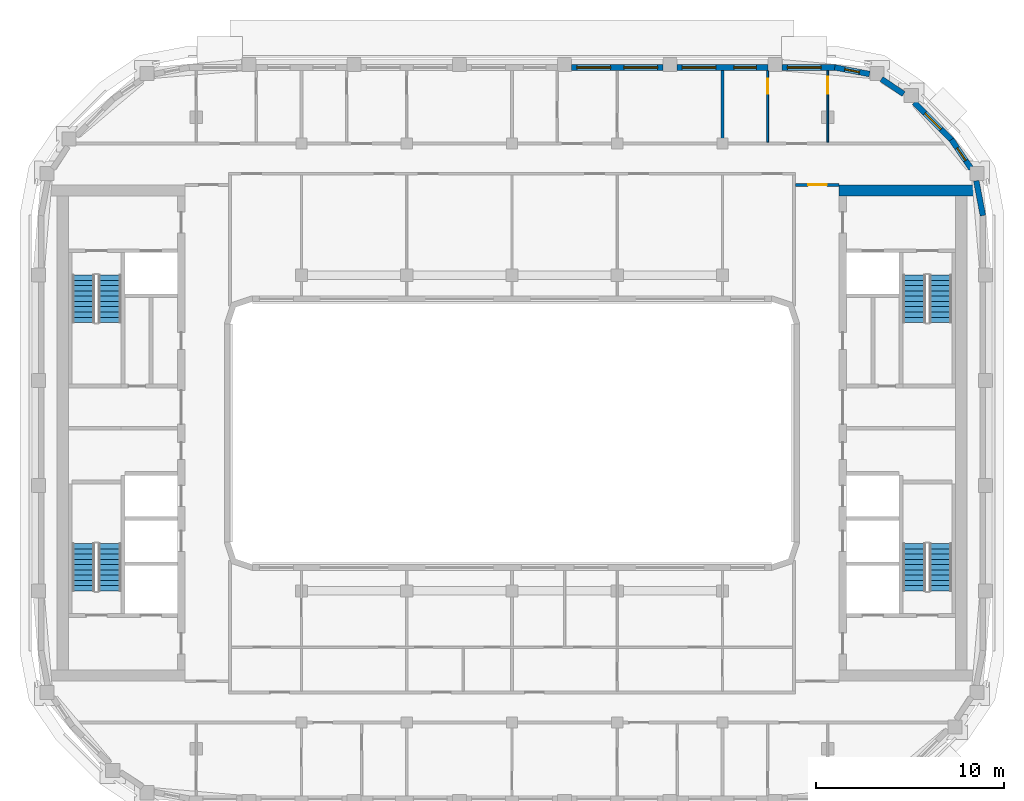
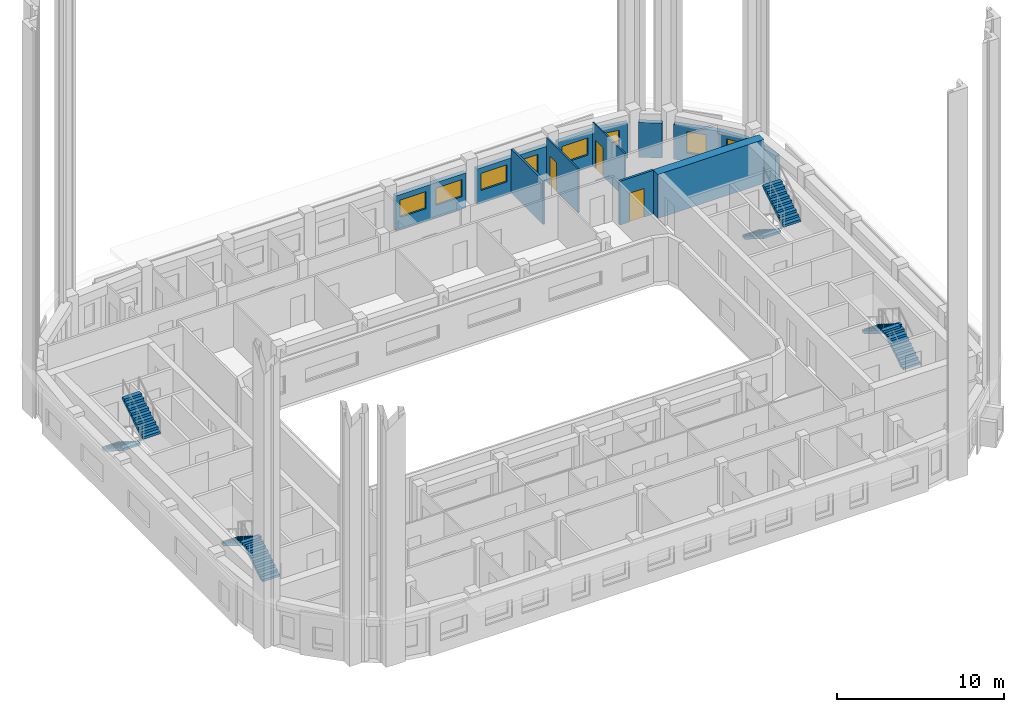
# One storey, part 8 of 15: 13 walls, 8 stair flights, 8 windows, 3 doors, 11 openings, 4 elements without a shape of their own.
"""IFC4 building model written with IfcOpenShell, lengths in metres."""

from ifc_helpers import new_model, si_unit, direction, frame, frame_2d, origin, place, context, subcontext, project, spatial, polyline, rectangle, outline, extrude, material, layer, layer_set, type_object, element, fill, aggregate, save


model = new_model("IFC4")

# Units and contexts
model_context = context("Model", 3, precision=1e-05, world=origin(), true_north=direction((0.0, 1.0)))
body_context = subcontext(model_context, "Body", "Model", "MODEL_VIEW")
ifc_project = project(units=[si_unit("LENGTHUNIT", "METRE"), si_unit("AREAUNIT", "SQUARE_METRE"), si_unit("VOLUMEUNIT", "CUBIC_METRE"), si_unit("PLANEANGLEUNIT", "RADIAN"), si_unit("MASSUNIT", "GRAM", prefix="KILO")], contexts=[model_context])

# Site, building, storey
site_placement = place(None, origin())
site = spatial("IfcSite", under=ifc_project, at=site_placement, CompositionType="ELEMENT")
building_placement = place(site_placement, origin())
building = spatial("IfcBuilding", under=site, at=building_placement, Name="Kiln Ring Residences", CompositionType="ELEMENT")
storey_placement = place(building_placement, frame((0.0, 0.0, 266.199951171875)))
storey = spatial("IfcBuildingStorey", under=building, at=storey_placement, Name="L69", CompositionType="ELEMENT", Elevation=266.199951171875)

# Walls
ifc_material_1 = material(Name="Concrete C60/75", Category="concrete")
ifc_layer_1 = layer(ifc_material_1, 0.60009765625)
ifc_layer_set_1 = layer_set([ifc_layer_1], Name="CORE-WALL-RC600")
wall_type_1 = type_object("IfcWallType", Name="CORE-WALL-RC600", PredefinedType="SHEAR", material=ifc_layer_set_1)
wall_1_placement = place(storey_placement, frame((17.39990234375, 12.89990234375, 0.0), z_axis=(0.0, 0.0, 1.0), x_axis=(1.0, 0.0, 0.0)))
element("IfcWall", 1, at=wall_1_placement, inside=storey, type_object=wall_type_1, Name="Core wall east L69 4", PredefinedType="SHEAR", context=body_context, shape_type="SweptSolid", body=[
    extrude(rectangle(XDim=7.320068359375, YDim=0.60009765625, at=frame_2d((3.66015625, 0.0))), origin(), (0.0, 0.0, 1.0), 3.199951171875),
])
ifc_material_2 = material(Name="Brick masonry, dark clay brick", Category="masonry")
ifc_layer_2 = layer(ifc_material_2, 0.300048828125)
ifc_layer_set_2 = layer_set([ifc_layer_2], Name="EW-300 BRICK WALL")
wall_type_2 = type_object("IfcWallType", Name="EW-300 BRICK WALL", PredefinedType="SOLIDWALL", material=ifc_layer_set_2)
wall_2_placement = place(storey_placement, frame((25.052734375, 11.57177734375, 0.0), z_axis=(0.0, 0.0, 1.0), x_axis=(-0.187398348234, 0.982284001233, 0.0)))
element("IfcWall", 2, at=wall_2_placement, inside=storey, type_object=wall_type_2, Name="Facade wall L69 21", PredefinedType="SOLIDWALL", context=body_context, shape_type="SweptSolid", body=[
    extrude(rectangle(XDim=1.88134765625, YDim=0.300048828125, at=frame_2d((0.940673828125, 0.0))), origin(), (0.0, 0.0, 1.0), 2.550048828125),
])

# Wall, opening, window
wall_3_placement = place(storey_placement, frame((24.436279296875, 14.056884765625, 0.0), z_axis=(0.0, 0.0, 1.0), x_axis=(-0.562075713892, 0.827085782645, 0.0)))
wall_3 = element("IfcWall", 3, at=wall_3_placement, inside=storey, type_object=wall_type_2, Name="Facade wall L69 22", PredefinedType="SOLIDWALL", context=body_context, shape_type="SweptSolid", body=[
    extrude(rectangle(XDim=1.881103515625, YDim=0.300048828125, at=frame_2d((0.9404296875, 0.0))), origin(), (0.0, 0.0, 1.0), 2.550048828125),
])
opening_1_placement = place(wall_3_placement, frame((0.54052734375, 0.0, 0.60009765625)))
opening_1 = element("IfcOpeningElement", 4, at=opening_1_placement, cuts=wall_3, Name="Opening W5", PredefinedType="OPENING", context=body_context, shape_type="SweptSolid", body=[
    extrude(rectangle(XDim=0.800048828125, YDim=1.550048828125, at=frame_2d((0.39990234375, 0.77490234375))), frame((0.0, 0.159912109375, 0.0), z_axis=(0.0, -1.0, 0.0), x_axis=(1.0, 0.0, 0.0)), (0.0, 0.0, 1.0), 0.320068359375),
])
ifc_material_3 = material(Name="Aluminium frame with double glazing", Category="aluminium")
window_type_1 = type_object("IfcWindowType", Name="WINDOW 800 x 1550", PartitioningType="SINGLE_PANEL", PredefinedType="WINDOW", material=ifc_material_3)
window_1_placement = place(opening_1_placement, origin())
window_1 = element("IfcWindow", 5, at=window_1_placement, inside=storey, type_object=window_type_1, Name="Window L69 18", OverallHeight=1.550048828125, OverallWidth=0.800048828125, PartitioningType="SINGLE_PANEL", PredefinedType="WINDOW", context=body_context, shape_type="SweptSolid", body=[
    extrude(rectangle(XDim=0.800048828125, YDim=1.550048828125, at=frame_2d((0.39990234375, 0.77490234375))), frame((0.0, 0.030029296875, 0.0), z_axis=(0.0, -1.0, 0.0), x_axis=(1.0, 0.0, 0.0)), (0.0, 0.0, 1.0), 0.06005859375),
])
fill(opening_1, window_1)

wall_4_placement = place(storey_placement, frame((23.39697265625, 15.591064453125, 0.0), z_axis=(0.0, 0.0, 1.0), x_axis=(-0.707106781187, 0.707106781187, 0.0)))
wall_4 = element("IfcWall", 6, at=wall_4_placement, inside=storey, type_object=wall_type_2, Name="Facade wall L69 23", PredefinedType="SOLIDWALL", context=body_context, shape_type="SweptSolid", body=[
    extrude(rectangle(XDim=2.824951171875, YDim=0.300048828125, at=frame_2d((1.41259765625, 0.0))), origin(), (0.0, 0.0, 1.0), 2.550048828125),
])
opening_2_placement = place(wall_4_placement, frame((0.8125, 0.0, 0.60009765625)))
opening_2 = element("IfcOpeningElement", 7, at=opening_2_placement, cuts=wall_4, Name="Opening W1", PredefinedType="OPENING", context=body_context, shape_type="SweptSolid", body=[
    extrude(rectangle(XDim=1.199951171875, YDim=1.550048828125, at=frame_2d((0.60009765625, 0.77490234375))), frame((0.0, 0.159912109375, 0.0), z_axis=(0.0, -1.0, 0.0), x_axis=(1.0, 0.0, 0.0)), (0.0, 0.0, 1.0), 0.320068359375),
])
ifc_material_4 = material(Name="Aluminium frame with double glazing", Category="aluminium")
window_type_2 = type_object("IfcWindowType", Name="WINDOW 1200 x 1550", PartitioningType="SINGLE_PANEL", PredefinedType="WINDOW", material=ifc_material_4)
window_2_placement = place(opening_2_placement, origin())
window_2 = element("IfcWindow", 8, at=window_2_placement, inside=storey, type_object=window_type_2, Name="Window L69 19", OverallHeight=1.550048828125, OverallWidth=1.199951171875, PartitioningType="SINGLE_PANEL", PredefinedType="WINDOW", context=body_context, shape_type="SweptSolid", body=[
    extrude(rectangle(XDim=1.199951171875, YDim=1.550048828125, at=frame_2d((0.60009765625, 0.77490234375))), frame((0.0, 0.030029296875, 0.0), z_axis=(0.0, -1.0, 0.0), x_axis=(1.0, 0.0, 0.0)), (0.0, 0.0, 1.0), 0.06005859375),
])
fill(opening_2, window_2)

# Wall
wall_5_placement = place(storey_placement, frame((20.837158203125, 18.0341796875, 0.0), z_axis=(0.0, 0.0, 1.0), x_axis=(-0.827095130818, 0.562061957952, 0.0)))
element("IfcWall", 9, at=wall_5_placement, inside=storey, type_object=wall_type_2, Name="Facade wall L69 24", PredefinedType="SOLIDWALL", context=body_context, shape_type="SweptSolid", body=[
    extrude(rectangle(XDim=1.427001953125, YDim=0.300048828125, at=frame_2d((0.71337890625, 0.0))), origin(), (0.0, 0.0, 1.0), 2.550048828125),
])

# Wall, opening, window
wall_6_placement = place(storey_placement, frame((19.019775390625, 19.10009765625, 0.0), z_axis=(0.0, 0.0, 1.0), x_axis=(-0.982284001233, 0.187398348234, 0.0)))
wall_6 = element("IfcWall", 10, at=wall_6_placement, inside=storey, type_object=wall_type_2, Name="Facade wall L69 25", PredefinedType="SOLIDWALL", context=body_context, shape_type="SweptSolid", body=[
    extrude(rectangle(XDim=1.88134765625, YDim=0.300048828125, at=frame_2d((0.940673828125, 0.0))), origin(), (0.0, 0.0, 1.0), 2.550048828125),
])
opening_3_placement = place(wall_6_placement, frame((0.54052734375, 0.0, 0.60009765625)))
opening_3 = element("IfcOpeningElement", 11, at=opening_3_placement, cuts=wall_6, Name="Opening W5", PredefinedType="OPENING", context=body_context, shape_type="SweptSolid", body=[
    extrude(rectangle(XDim=0.800048828125, YDim=1.550048828125, at=frame_2d((0.39990234375, 0.77490234375))), frame((0.0, 0.159912109375, 0.0), z_axis=(0.0, -1.0, 0.0), x_axis=(1.0, 0.0, 0.0)), (0.0, 0.0, 1.0), 0.320068359375),
])
window_3_placement = place(opening_3_placement, origin())
window_3 = element("IfcWindow", 12, at=window_3_placement, inside=storey, type_object=window_type_1, Name="Window L69 20", OverallHeight=1.550048828125, OverallWidth=0.800048828125, PartitioningType="SINGLE_PANEL", PredefinedType="WINDOW", context=body_context, shape_type="SweptSolid", body=[
    extrude(rectangle(XDim=0.800048828125, YDim=1.550048828125, at=frame_2d((0.39990234375, 0.77490234375))), frame((0.0, 0.030029296875, 0.0), z_axis=(0.0, -1.0, 0.0), x_axis=(1.0, 0.0, 0.0)), (0.0, 0.0, 1.0), 0.06005859375),
])
fill(opening_3, window_3)

wall_7_placement = place(storey_placement, frame((17.199951171875, 19.449951171875, 0.0), z_axis=(0.0, 0.0, 1.0), x_axis=(-1.0, 0.0, 0.0)))
wall_7 = element("IfcWall", 13, at=wall_7_placement, inside=storey, type_object=wall_type_2, Name="Facade wall L69 26", PredefinedType="SOLIDWALL", context=body_context, shape_type="SweptSolid", body=[
    extrude(rectangle(XDim=2.824951171875, YDim=0.300048828125, at=frame_2d((1.41259765625, 0.0))), origin(), (0.0, 0.0, 1.0), 2.550048828125),
])
opening_4_placement = place(wall_7_placement, frame((0.75, 0.0, 0.89990234375)))
opening_4 = element("IfcOpeningElement", 14, at=opening_4_placement, cuts=wall_7, Name="Opening W2", PredefinedType="OPENING", context=body_context, shape_type="SweptSolid", body=[
    extrude(rectangle(XDim=1.800048828125, YDim=1.25, at=frame_2d((0.89990234375, 0.625))), frame((0.0, 0.159912109375, 0.0), z_axis=(0.0, -1.0, 0.0), x_axis=(1.0, 0.0, 0.0)), (0.0, 0.0, 1.0), 0.320068359375),
])
ifc_material_5 = material(Name="Aluminium frame with double glazing", Category="aluminium")
window_type_3 = type_object("IfcWindowType", Name="WINDOW 1800 x 1250", PartitioningType="SINGLE_PANEL", PredefinedType="WINDOW", material=ifc_material_5)
window_4_placement = place(opening_4_placement, origin())
window_4 = element("IfcWindow", 15, at=window_4_placement, inside=storey, type_object=window_type_3, Name="Window L69 21", OverallHeight=1.25, OverallWidth=1.800048828125, PartitioningType="SINGLE_PANEL", PredefinedType="WINDOW", context=body_context, shape_type="SweptSolid", body=[
    extrude(rectangle(XDim=1.800048828125, YDim=1.25, at=frame_2d((0.89990234375, 0.625))), frame((0.0, 0.030029296875, 0.0), z_axis=(0.0, -1.0, 0.0), x_axis=(1.0, 0.0, 0.0)), (0.0, 0.0, 1.0), 0.06005859375),
])
fill(opening_4, window_4)

# Wall, openings, windows
wall_8_placement = place(storey_placement, frame((13.625, 19.449951171875, 0.0), z_axis=(0.0, 0.0, 1.0), x_axis=(-1.0, 0.0, 0.0)))
wall_8 = element("IfcWall", 16, at=wall_8_placement, inside=storey, type_object=wall_type_2, Name="Facade wall L69 27", PredefinedType="SOLIDWALL", context=body_context, shape_type="SweptSolid", body=[
    extrude(rectangle(XDim=4.85009765625, YDim=0.300048828125, at=frame_2d((2.425048828125, 0.0))), origin(), (0.0, 0.0, 1.0), 2.550048828125),
])
opening_5_placement = place(wall_8_placement, frame((0.625, 0.0, 0.60009765625)))
opening_5 = element("IfcOpeningElement", 17, at=opening_5_placement, cuts=wall_8, Name="Opening W1", PredefinedType="OPENING", context=body_context, shape_type="SweptSolid", body=[
    extrude(rectangle(XDim=1.199951171875, YDim=1.550048828125, at=frame_2d((0.60009765625, 0.77490234375))), frame((0.0, 0.159912109375, 0.0), z_axis=(0.0, -1.0, 0.0), x_axis=(1.0, 0.0, 0.0)), (0.0, 0.0, 1.0), 0.320068359375),
])
opening_6_placement = place(wall_8_placement, frame((2.77490234375, 0.0, 0.89990234375)))
opening_6 = element("IfcOpeningElement", 18, at=opening_6_placement, cuts=wall_8, Name="Opening W2", PredefinedType="OPENING", context=body_context, shape_type="SweptSolid", body=[
    extrude(rectangle(XDim=1.800048828125, YDim=1.25, at=frame_2d((0.89990234375, 0.625))), frame((0.0, 0.159912109375, 0.0), z_axis=(0.0, -1.0, 0.0), x_axis=(1.0, 0.0, 0.0)), (0.0, 0.0, 1.0), 0.320068359375),
])
window_5_placement = place(opening_5_placement, origin())
window_5 = element("IfcWindow", 19, at=window_5_placement, inside=storey, type_object=window_type_2, Name="Window L69 22", OverallHeight=1.550048828125, OverallWidth=1.199951171875, PartitioningType="SINGLE_PANEL", PredefinedType="WINDOW", context=body_context, shape_type="SweptSolid", body=[
    extrude(rectangle(XDim=1.199951171875, YDim=1.550048828125, at=frame_2d((0.60009765625, 0.77490234375))), frame((0.0, 0.030029296875, 0.0), z_axis=(0.0, -1.0, 0.0), x_axis=(1.0, 0.0, 0.0)), (0.0, 0.0, 1.0), 0.06005859375),
])
fill(opening_5, window_5)
window_6_placement = place(opening_6_placement, origin())
window_6 = element("IfcWindow", 20, at=window_6_placement, inside=storey, type_object=window_type_3, Name="Window L69 23", OverallHeight=1.25, OverallWidth=1.800048828125, PartitioningType="SINGLE_PANEL", PredefinedType="WINDOW", context=body_context, shape_type="SweptSolid", body=[
    extrude(rectangle(XDim=1.800048828125, YDim=1.25, at=frame_2d((0.89990234375, 0.625))), frame((0.0, 0.030029296875, 0.0), z_axis=(0.0, -1.0, 0.0), x_axis=(1.0, 0.0, 0.0)), (0.0, 0.0, 1.0), 0.06005859375),
])
fill(opening_6, window_6)

wall_9_placement = place(storey_placement, frame((8.02490234375, 19.449951171875, 0.0), z_axis=(0.0, 0.0, 1.0), x_axis=(-1.0, 0.0, 0.0)))
wall_9 = element("IfcWall", 21, at=wall_9_placement, inside=storey, type_object=wall_type_2, Name="Facade wall L69 28", PredefinedType="SOLIDWALL", context=body_context, shape_type="SweptSolid", body=[
    extrude(rectangle(XDim=4.849853515625, YDim=0.300048828125, at=frame_2d((2.4248046875, 0.0))), origin(), (0.0, 0.0, 1.0), 2.550048828125),
])
opening_7_placement = place(wall_9_placement, frame((0.27490234375, 0.0, 0.89990234375)))
opening_7 = element("IfcOpeningElement", 22, at=opening_7_placement, cuts=wall_9, Name="Opening W2", PredefinedType="OPENING", context=body_context, shape_type="SweptSolid", body=[
    extrude(rectangle(XDim=1.800048828125, YDim=1.25, at=frame_2d((0.89990234375, 0.625))), frame((0.0, 0.159912109375, 0.0), z_axis=(0.0, -1.0, 0.0), x_axis=(1.0, 0.0, 0.0)), (0.0, 0.0, 1.0), 0.320068359375),
])
opening_8_placement = place(wall_9_placement, frame((2.77490234375, 0.0, 0.89990234375)))
opening_8 = element("IfcOpeningElement", 23, at=opening_8_placement, cuts=wall_9, Name="Opening W2", PredefinedType="OPENING", context=body_context, shape_type="SweptSolid", body=[
    extrude(rectangle(XDim=1.800048828125, YDim=1.25, at=frame_2d((0.89990234375, 0.625))), frame((0.0, 0.159912109375, 0.0), z_axis=(0.0, -1.0, 0.0), x_axis=(1.0, 0.0, 0.0)), (0.0, 0.0, 1.0), 0.320068359375),
])
window_7_placement = place(opening_7_placement, origin())
window_7 = element("IfcWindow", 24, at=window_7_placement, inside=storey, type_object=window_type_3, Name="Window L69 24", OverallHeight=1.25, OverallWidth=1.800048828125, PartitioningType="SINGLE_PANEL", PredefinedType="WINDOW", context=body_context, shape_type="SweptSolid", body=[
    extrude(rectangle(XDim=1.800048828125, YDim=1.25, at=frame_2d((0.89990234375, 0.625))), frame((0.0, 0.030029296875, 0.0), z_axis=(0.0, -1.0, 0.0), x_axis=(1.0, 0.0, 0.0)), (0.0, 0.0, 1.0), 0.06005859375),
])
fill(opening_7, window_7)
window_8_placement = place(opening_8_placement, origin())
window_8 = element("IfcWindow", 25, at=window_8_placement, inside=storey, type_object=window_type_3, Name="Window L69 25", OverallHeight=1.25, OverallWidth=1.800048828125, PartitioningType="SINGLE_PANEL", PredefinedType="WINDOW", context=body_context, shape_type="SweptSolid", body=[
    extrude(rectangle(XDim=1.800048828125, YDim=1.25, at=frame_2d((0.89990234375, 0.625))), frame((0.0, 0.030029296875, 0.0), z_axis=(0.0, -1.0, 0.0), x_axis=(1.0, 0.0, 0.0)), (0.0, 0.0, 1.0), 0.06005859375),
])
fill(opening_8, window_8)

# Wall, opening, door
ifc_material_6 = material(Name="Gypsum board on steel studs", Category="steel")
ifc_layer_3 = layer(ifc_material_6, 0.10009765625)
ifc_layer_set_3 = layer_set([ifc_layer_3], Name="PARTITION-100")
wall_type_3 = type_object("IfcWallType", Name="PARTITION-100", PredefinedType="PARTITIONING", material=ifc_layer_set_3)
wall_10_placement = place(storey_placement, frame((13.60009765625, 15.47509765625, 0.0), z_axis=(0.0, 0.0, 1.0), x_axis=(0.0, 1.0, 0.0)))
wall_10 = element("IfcWall", 26, at=wall_10_placement, inside=storey, type_object=wall_type_3, Name="Partition 046", PredefinedType="PARTITIONING", context=body_context, shape_type="SweptSolid", body=[
    extrude(rectangle(XDim=3.804931640625, YDim=0.10009765625, at=frame_2d((1.90234375, 0.0))), origin(), (0.0, 0.0, 1.0), 3.199951171875),
])
opening_9_placement = place(wall_10_placement, frame((2.5849609375, 0.0, 0.0)))
opening_9 = element("IfcOpeningElement", 27, at=opening_9_placement, cuts=wall_10, Name="Opening L69-D021", PredefinedType="OPENING", context=body_context, shape_type="SweptSolid", body=[
    extrude(rectangle(XDim=0.800048828125, YDim=2.10009765625, at=frame_2d((0.39990234375, 1.050048828125))), frame((0.0, 0.06005859375, 0.0), z_axis=(0.0, -1.0, 0.0), x_axis=(1.0, 0.0, 0.0)), (0.0, 0.0, 1.0), 0.1201171875),
])
ifc_material_7 = material(Name="Timber door leaf", Category="wood")
door_type_1 = type_object("IfcDoorType", Name="FLAT-DOOR-800-PL", OperationType="SINGLE_SWING_LEFT", PredefinedType="DOOR", material=ifc_material_7)
door_1_placement = place(opening_9_placement, origin())
door_1 = element("IfcDoor", 28, at=door_1_placement, inside=storey, type_object=door_type_1, Name="Door L69-D021", OperationType="SINGLE_SWING_LEFT", OverallHeight=2.10009765625, OverallWidth=0.800048828125, PredefinedType="DOOR", context=body_context, shape_type="SweptSolid", body=[
    extrude(rectangle(XDim=0.800048828125, YDim=2.10009765625, at=frame_2d((0.39990234375, 1.050048828125))), frame((0.0, 0.02490234375, 0.0), z_axis=(0.0, -1.0, 0.0), x_axis=(1.0, 0.0, 0.0)), (0.0, 0.0, 1.0), 0.050048828125),
])
fill(opening_9, door_1)

wall_11_placement = place(storey_placement, frame((16.800048828125, 15.47509765625, 0.0), z_axis=(0.0, 0.0, 1.0), x_axis=(0.0, 1.0, 0.0)))
wall_11 = element("IfcWall", 29, at=wall_11_placement, inside=storey, type_object=wall_type_3, Name="Partition 050", PredefinedType="PARTITIONING", context=body_context, shape_type="SweptSolid", body=[
    extrude(rectangle(XDim=3.804931640625, YDim=0.10009765625, at=frame_2d((1.90234375, 0.0))), origin(), (0.0, 0.0, 1.0), 3.199951171875),
])
opening_10_placement = place(wall_11_placement, frame((2.575927734375, 0.0, 0.0)))
opening_10 = element("IfcOpeningElement", 30, at=opening_10_placement, cuts=wall_11, Name="Opening L69-D022", PredefinedType="OPENING", context=body_context, shape_type="SweptSolid", body=[
    extrude(rectangle(XDim=0.89990234375, YDim=2.10009765625, at=frame_2d((0.449951171875, 1.050048828125))), frame((0.0, 0.06005859375, 0.0), z_axis=(0.0, -1.0, 0.0), x_axis=(1.0, 0.0, 0.0)), (0.0, 0.0, 1.0), 0.1201171875),
])
ifc_material_8 = material(Name="Timber door leaf", Category="wood")
door_type_2 = type_object("IfcDoorType", Name="FLAT-DOOR-900-PL", OperationType="SINGLE_SWING_LEFT", PredefinedType="DOOR", material=ifc_material_8)
door_2_placement = place(opening_10_placement, origin())
door_2 = element("IfcDoor", 31, at=door_2_placement, inside=storey, type_object=door_type_2, Name="Door L69-D022", OperationType="SINGLE_SWING_RIGHT", OverallHeight=2.10009765625, OverallWidth=0.89990234375, PredefinedType="DOOR", context=body_context, shape_type="SweptSolid", body=[
    extrude(rectangle(XDim=0.89990234375, YDim=2.10009765625, at=frame_2d((0.449951171875, 1.050048828125))), frame((0.0, 0.02490234375, 0.0), z_axis=(0.0, -1.0, 0.0), x_axis=(1.0, 0.0, 0.0)), (0.0, 0.0, 1.0), 0.050048828125),
])
fill(opening_10, door_2)

ifc_material_9 = material(Name="Brick masonry partition", Category="masonry")
ifc_layer_4 = layer(ifc_material_9, 0.14990234375)
ifc_layer_set_4 = layer_set([ifc_layer_4], Name="PARTITION-150-ei60")
wall_type_4 = type_object("IfcWallType", Name="PARTITION-150-ei60", PredefinedType="PARTITIONING", material=ifc_layer_set_4)
wall_12_placement = place(storey_placement, frame((15.074951171875, 13.199951171875, 0.0), z_axis=(0.0, 0.0, 1.0), x_axis=(1.0, 0.0, 0.0)))
wall_12 = element("IfcWall", 32, at=wall_12_placement, inside=storey, type_object=wall_type_4, Name="Partition 006", PredefinedType="PARTITIONING", context=body_context, shape_type="SweptSolid", body=[
    extrude(rectangle(XDim=2.324951171875, YDim=0.14990234375, at=frame_2d((1.16259765625, 0.0))), origin(), (0.0, 0.0, 1.0), 3.199951171875),
])
opening_11_placement = place(wall_12_placement, frame((0.675048828125, 0.0, 0.0)))
opening_11 = element("IfcOpeningElement", 33, at=opening_11_placement, cuts=wall_12, Name="Opening L69-D002", PredefinedType="OPENING", context=body_context, shape_type="SweptSolid", body=[
    extrude(rectangle(XDim=1.0, YDim=2.10009765625, at=frame_2d((0.5, 1.050048828125))), frame((0.0, 0.0849609375, 0.0), z_axis=(0.0, -1.0, 0.0), x_axis=(1.0, 0.0, 0.0)), (0.0, 0.0, 1.0), 0.169921875),
])
ifc_material_10 = material(Name="Steel faced fire door leaf", Category="steel")
door_type_3 = type_object("IfcDoorType", Name="FLAT-DOOR-1000-FR", OperationType="SINGLE_SWING_LEFT", PredefinedType="DOOR", material=ifc_material_10)
door_3_placement = place(opening_11_placement, origin())
door_3 = element("IfcDoor", 34, at=door_3_placement, inside=storey, type_object=door_type_3, Name="Door L69-D002", OperationType="SINGLE_SWING_LEFT", OverallHeight=2.10009765625, OverallWidth=1.0, PredefinedType="DOOR", context=body_context, shape_type="SweptSolid", body=[
    extrude(rectangle(XDim=1.0, YDim=2.10009765625, at=frame_2d((0.5, 1.050048828125))), frame((0.0, 0.02490234375, 0.0), z_axis=(0.0, -1.0, 0.0), x_axis=(1.0, 0.0, 0.0)), (0.0, 0.0, 1.0), 0.050048828125),
])
fill(opening_11, door_3)

# Wall
wall_13_placement = place(storey_placement, frame((11.199951171875, 15.47509765625, 0.0), z_axis=(0.0, 0.0, 1.0), x_axis=(0.0, 1.0, 0.0)))
element("IfcWall", 35, at=wall_13_placement, inside=storey, type_object=wall_type_4, Name="Partition 044", PredefinedType="PARTITIONING", context=body_context, shape_type="SweptSolid", body=[
    extrude(rectangle(XDim=3.804931640625, YDim=0.14990234375, at=frame_2d((1.90234375, 0.0))), origin(), (0.0, 0.0, 1.0), 3.199951171875),
])

# Stair, stair flights
ifc_material_11 = material(Name="Concrete C40/50", Category="concrete")
stair_type = type_object("IfcStairType", Name="CORE-STAIR", PredefinedType="HALF_TURN_STAIR", material=ifc_material_11)
placement = place(storey_placement, origin())
stair_1 = element("IfcStair", 36, at=placement, inside=storey, type_object=stair_type, Name="L69 stair W-STN", PredefinedType="HALF_TURN_STAIR")
ifc_material_12 = material(Name="Concrete C40/50", Category="concrete")
stair_flight_type = type_object("IfcStairFlightType", Name="CORE-STAIR-FLIGHT", PredefinedType="STRAIGHT", material=ifc_material_12)
stair_flight_1_placement = place(storey_placement, frame((-22.800048828125, 8.39990234375, 0.0), z_axis=(0.0, 0.0, 1.0), x_axis=(0.0, -1.0, 0.0)))
stair_flight_1 = element("IfcStairFlight", 37, at=stair_flight_1_placement, type_object=stair_flight_type, Name="W-STN flight 1", NumberOfRisers=10, NumberOfTreads=9, PredefinedType="STRAIGHT", RiserHeight=0.175, TreadLength=0.28, context=body_context, shape_type="SweptSolid", body=[
    extrude(outline(polyline([(0.0, 0.0), (0.0, 0.175048828125), (0.280029296875, 0.175048828125), (0.280029296875, 0.35009765625), (0.56005859375, 0.35009765625), (0.56005859375, 0.52490234375), (0.840087890625, 0.52490234375), (0.840087890625, 0.699951171875), (1.1201171875, 0.699951171875), (1.1201171875, 0.875), (1.39990234375, 0.875), (1.39990234375, 1.050048828125), (1.679931640625, 1.050048828125), (1.679931640625, 1.22509765625), (1.9599609375, 1.22509765625), (1.9599609375, 1.39990234375), (2.239990234375, 1.39990234375), (2.239990234375, 1.574951171875), (2.52001953125, 1.574951171875), (2.52001953125, 1.75), (2.52001953125, 1.398193359375), (0.28271484375, 0.0), (0.0, 0.0)])), frame((0.0, 0.60009765625, 0.0), z_axis=(0.0, -1.0, 0.0), x_axis=(1.0, 0.0, 0.0)), (0.0, 0.0, 1.0), 1.199951171875),
])
stair_flight_2_placement = place(storey_placement, frame((-21.39990234375, 5.8798828125, 1.75), z_axis=(0.0, 0.0, 1.0), x_axis=(0.0, 1.0, 0.0)))
stair_flight_2 = element("IfcStairFlight", 38, at=stair_flight_2_placement, type_object=stair_flight_type, Name="W-STN flight 2", NumberOfRisers=10, NumberOfTreads=9, PredefinedType="STRAIGHT", RiserHeight=0.175, TreadLength=0.28, context=body_context, shape_type="SweptSolid", body=[
    extrude(outline(polyline([(0.0, 0.0), (0.0, 0.175048828125), (0.280029296875, 0.175048828125), (0.280029296875, 0.35009765625), (0.56005859375, 0.35009765625), (0.56005859375, 0.52490234375), (0.840087890625, 0.52490234375), (0.840087890625, 0.699951171875), (1.1201171875, 0.699951171875), (1.1201171875, 0.875), (1.39990234375, 0.875), (1.39990234375, 1.050048828125), (1.679931640625, 1.050048828125), (1.679931640625, 1.22509765625), (1.9599609375, 1.22509765625), (1.9599609375, 1.39990234375), (2.239990234375, 1.39990234375), (2.239990234375, 1.574951171875), (2.52001953125, 1.574951171875), (2.52001953125, 1.75), (2.52001953125, 1.398193359375), (0.28271484375, 0.0), (0.0, 0.0)])), frame((0.0, 0.60009765625, 0.0), z_axis=(0.0, -1.0, 0.0), x_axis=(1.0, 0.0, 0.0)), (0.0, 0.0, 1.0), 1.199951171875),
])
aggregate(stair_1, [stair_flight_1, stair_flight_2])

stair_2 = element("IfcStair", 39, at=placement, inside=storey, type_object=stair_type, Name="L69 stair W-STS", PredefinedType="HALF_TURN_STAIR")
stair_flight_3_placement = place(storey_placement, frame((-21.39990234375, -8.39990234375, 0.0), z_axis=(0.0, 0.0, 1.0), x_axis=(0.0, 1.0, 0.0)))
stair_flight_3 = element("IfcStairFlight", 40, at=stair_flight_3_placement, type_object=stair_flight_type, Name="W-STS flight 1", NumberOfRisers=10, NumberOfTreads=9, PredefinedType="STRAIGHT", RiserHeight=0.175, TreadLength=0.28, context=body_context, shape_type="SweptSolid", body=[
    extrude(outline(polyline([(0.0, 0.0), (0.0, 0.175048828125), (0.280029296875, 0.175048828125), (0.280029296875, 0.35009765625), (0.56005859375, 0.35009765625), (0.56005859375, 0.52490234375), (0.840087890625, 0.52490234375), (0.840087890625, 0.699951171875), (1.1201171875, 0.699951171875), (1.1201171875, 0.875), (1.39990234375, 0.875), (1.39990234375, 1.050048828125), (1.679931640625, 1.050048828125), (1.679931640625, 1.22509765625), (1.9599609375, 1.22509765625), (1.9599609375, 1.39990234375), (2.239990234375, 1.39990234375), (2.239990234375, 1.574951171875), (2.52001953125, 1.574951171875), (2.52001953125, 1.75), (2.52001953125, 1.398193359375), (0.28271484375, 0.0), (0.0, 0.0)])), frame((0.0, 0.60009765625, 0.0), z_axis=(0.0, -1.0, 0.0), x_axis=(1.0, 0.0, 0.0)), (0.0, 0.0, 1.0), 1.199951171875),
])
stair_flight_4_placement = place(storey_placement, frame((-22.800048828125, -5.8798828125, 1.75), z_axis=(0.0, 0.0, 1.0), x_axis=(0.0, -1.0, 0.0)))
stair_flight_4 = element("IfcStairFlight", 41, at=stair_flight_4_placement, type_object=stair_flight_type, Name="W-STS flight 2", NumberOfRisers=10, NumberOfTreads=9, PredefinedType="STRAIGHT", RiserHeight=0.175, TreadLength=0.28, context=body_context, shape_type="SweptSolid", body=[
    extrude(outline(polyline([(0.0, 0.0), (0.0, 0.175048828125), (0.280029296875, 0.175048828125), (0.280029296875, 0.35009765625), (0.56005859375, 0.35009765625), (0.56005859375, 0.52490234375), (0.840087890625, 0.52490234375), (0.840087890625, 0.699951171875), (1.1201171875, 0.699951171875), (1.1201171875, 0.875), (1.39990234375, 0.875), (1.39990234375, 1.050048828125), (1.679931640625, 1.050048828125), (1.679931640625, 1.22509765625), (1.9599609375, 1.22509765625), (1.9599609375, 1.39990234375), (2.239990234375, 1.39990234375), (2.239990234375, 1.574951171875), (2.52001953125, 1.574951171875), (2.52001953125, 1.75), (2.52001953125, 1.398193359375), (0.28271484375, 0.0), (0.0, 0.0)])), frame((0.0, 0.60009765625, 0.0), z_axis=(0.0, -1.0, 0.0), x_axis=(1.0, 0.0, 0.0)), (0.0, 0.0, 1.0), 1.199951171875),
])
aggregate(stair_2, [stair_flight_3, stair_flight_4])

stair_3 = element("IfcStair", 42, at=placement, inside=storey, type_object=stair_type, Name="L69 stair E-STN", PredefinedType="HALF_TURN_STAIR")
stair_flight_5_placement = place(storey_placement, frame((21.39990234375, 8.39990234375, 0.0), z_axis=(0.0, 0.0, 1.0), x_axis=(0.0, -1.0, 0.0)))
stair_flight_5 = element("IfcStairFlight", 43, at=stair_flight_5_placement, type_object=stair_flight_type, Name="E-STN flight 1", NumberOfRisers=10, NumberOfTreads=9, PredefinedType="STRAIGHT", RiserHeight=0.175, TreadLength=0.28, context=body_context, shape_type="SweptSolid", body=[
    extrude(outline(polyline([(0.0, 0.0), (0.0, 0.175048828125), (0.280029296875, 0.175048828125), (0.280029296875, 0.35009765625), (0.56005859375, 0.35009765625), (0.56005859375, 0.52490234375), (0.840087890625, 0.52490234375), (0.840087890625, 0.699951171875), (1.1201171875, 0.699951171875), (1.1201171875, 0.875), (1.39990234375, 0.875), (1.39990234375, 1.050048828125), (1.679931640625, 1.050048828125), (1.679931640625, 1.22509765625), (1.9599609375, 1.22509765625), (1.9599609375, 1.39990234375), (2.239990234375, 1.39990234375), (2.239990234375, 1.574951171875), (2.52001953125, 1.574951171875), (2.52001953125, 1.75), (2.52001953125, 1.398193359375), (0.28271484375, 0.0), (0.0, 0.0)])), frame((0.0, 0.60009765625, 0.0), z_axis=(0.0, -1.0, 0.0), x_axis=(1.0, 0.0, 0.0)), (0.0, 0.0, 1.0), 1.199951171875),
])
stair_flight_6_placement = place(storey_placement, frame((22.800048828125, 5.8798828125, 1.75), z_axis=(0.0, 0.0, 1.0), x_axis=(0.0, 1.0, 0.0)))
stair_flight_6 = element("IfcStairFlight", 44, at=stair_flight_6_placement, type_object=stair_flight_type, Name="E-STN flight 2", NumberOfRisers=10, NumberOfTreads=9, PredefinedType="STRAIGHT", RiserHeight=0.175, TreadLength=0.28, context=body_context, shape_type="SweptSolid", body=[
    extrude(outline(polyline([(0.0, 0.0), (0.0, 0.175048828125), (0.280029296875, 0.175048828125), (0.280029296875, 0.35009765625), (0.56005859375, 0.35009765625), (0.56005859375, 0.52490234375), (0.840087890625, 0.52490234375), (0.840087890625, 0.699951171875), (1.1201171875, 0.699951171875), (1.1201171875, 0.875), (1.39990234375, 0.875), (1.39990234375, 1.050048828125), (1.679931640625, 1.050048828125), (1.679931640625, 1.22509765625), (1.9599609375, 1.22509765625), (1.9599609375, 1.39990234375), (2.239990234375, 1.39990234375), (2.239990234375, 1.574951171875), (2.52001953125, 1.574951171875), (2.52001953125, 1.75), (2.52001953125, 1.398193359375), (0.28271484375, 0.0), (0.0, 0.0)])), frame((0.0, 0.60009765625, 0.0), z_axis=(0.0, -1.0, 0.0), x_axis=(1.0, 0.0, 0.0)), (0.0, 0.0, 1.0), 1.199951171875),
])
aggregate(stair_3, [stair_flight_5, stair_flight_6])

stair_4 = element("IfcStair", 45, at=placement, inside=storey, type_object=stair_type, Name="L69 stair E-STS", PredefinedType="HALF_TURN_STAIR")
stair_flight_7_placement = place(storey_placement, frame((22.800048828125, -8.39990234375, 0.0), z_axis=(0.0, 0.0, 1.0), x_axis=(0.0, 1.0, 0.0)))
stair_flight_7 = element("IfcStairFlight", 46, at=stair_flight_7_placement, type_object=stair_flight_type, Name="E-STS flight 1", NumberOfRisers=10, NumberOfTreads=9, PredefinedType="STRAIGHT", RiserHeight=0.175, TreadLength=0.28, context=body_context, shape_type="SweptSolid", body=[
    extrude(outline(polyline([(0.0, 0.0), (0.0, 0.175048828125), (0.280029296875, 0.175048828125), (0.280029296875, 0.35009765625), (0.56005859375, 0.35009765625), (0.56005859375, 0.52490234375), (0.840087890625, 0.52490234375), (0.840087890625, 0.699951171875), (1.1201171875, 0.699951171875), (1.1201171875, 0.875), (1.39990234375, 0.875), (1.39990234375, 1.050048828125), (1.679931640625, 1.050048828125), (1.679931640625, 1.22509765625), (1.9599609375, 1.22509765625), (1.9599609375, 1.39990234375), (2.239990234375, 1.39990234375), (2.239990234375, 1.574951171875), (2.52001953125, 1.574951171875), (2.52001953125, 1.75), (2.52001953125, 1.398193359375), (0.28271484375, 0.0), (0.0, 0.0)])), frame((0.0, 0.60009765625, 0.0), z_axis=(0.0, -1.0, 0.0), x_axis=(1.0, 0.0, 0.0)), (0.0, 0.0, 1.0), 1.199951171875),
])
stair_flight_8_placement = place(storey_placement, frame((21.39990234375, -5.8798828125, 1.75), z_axis=(0.0, 0.0, 1.0), x_axis=(0.0, -1.0, 0.0)))
stair_flight_8 = element("IfcStairFlight", 47, at=stair_flight_8_placement, type_object=stair_flight_type, Name="E-STS flight 2", NumberOfRisers=10, NumberOfTreads=9, PredefinedType="STRAIGHT", RiserHeight=0.175, TreadLength=0.28, context=body_context, shape_type="SweptSolid", body=[
    extrude(outline(polyline([(0.0, 0.0), (0.0, 0.175048828125), (0.280029296875, 0.175048828125), (0.280029296875, 0.35009765625), (0.56005859375, 0.35009765625), (0.56005859375, 0.52490234375), (0.840087890625, 0.52490234375), (0.840087890625, 0.699951171875), (1.1201171875, 0.699951171875), (1.1201171875, 0.875), (1.39990234375, 0.875), (1.39990234375, 1.050048828125), (1.679931640625, 1.050048828125), (1.679931640625, 1.22509765625), (1.9599609375, 1.22509765625), (1.9599609375, 1.39990234375), (2.239990234375, 1.39990234375), (2.239990234375, 1.574951171875), (2.52001953125, 1.574951171875), (2.52001953125, 1.75), (2.52001953125, 1.398193359375), (0.28271484375, 0.0), (0.0, 0.0)])), frame((0.0, 0.60009765625, 0.0), z_axis=(0.0, -1.0, 0.0), x_axis=(1.0, 0.0, 0.0)), (0.0, 0.0, 1.0), 1.199951171875),
])
aggregate(stair_4, [stair_flight_7, stair_flight_8])

save(model, "model.ifc")
